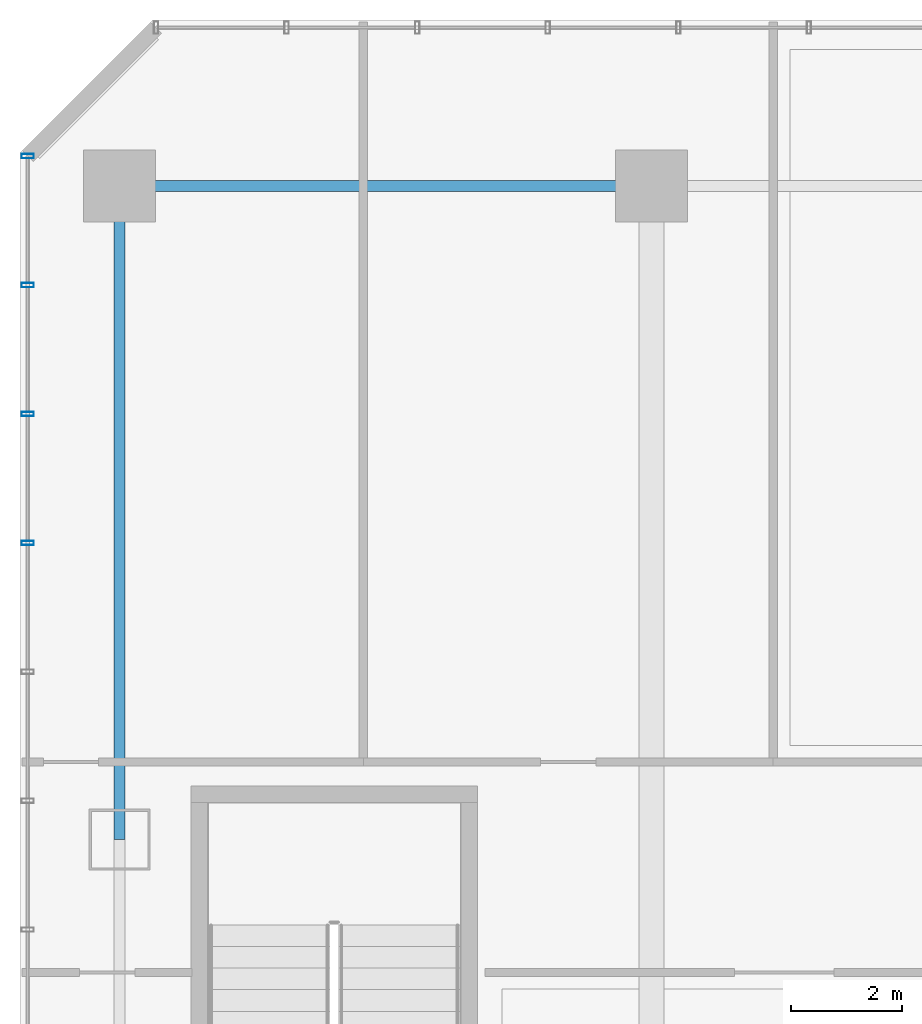
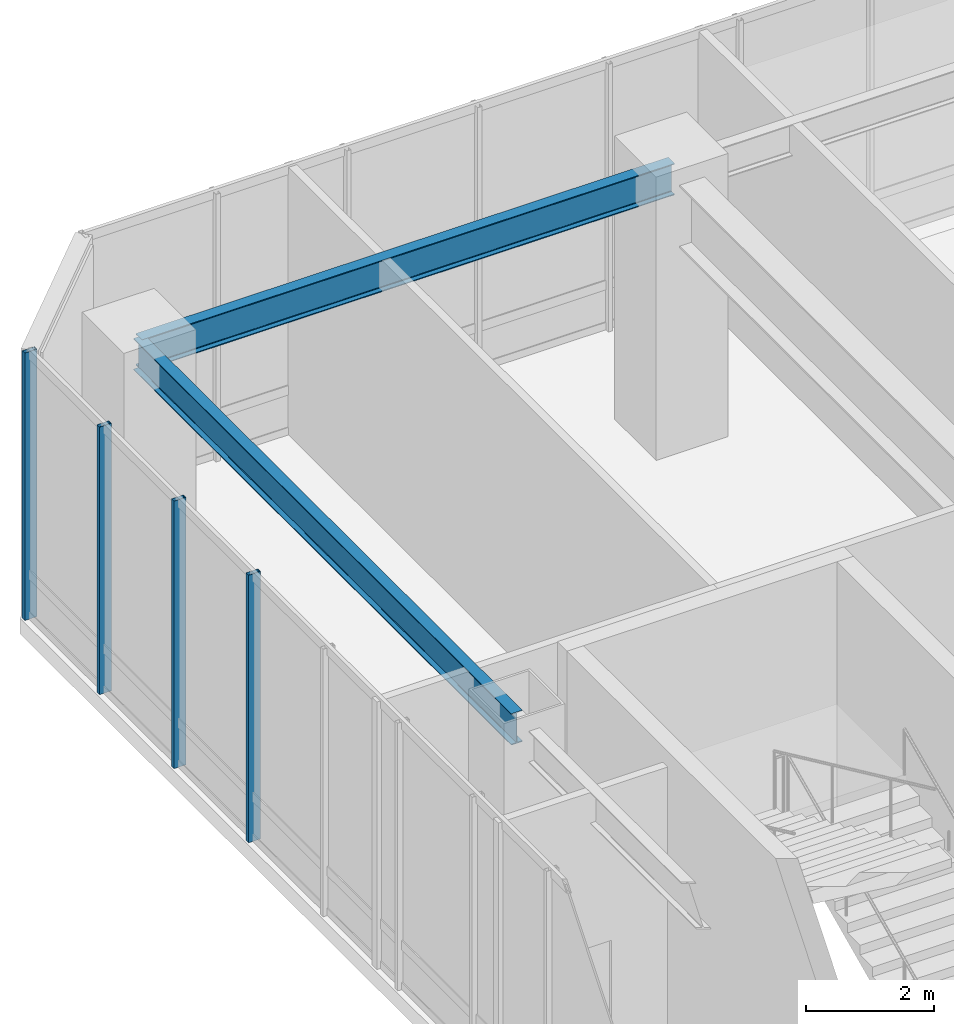
# One storey, part 14 of 35: 4 members, 2 beams, 1 element without a shape of its own.
"""IFC4 building model written with IfcOpenShell, lengths in metres."""

import ifcopenshell
import ifcopenshell.guid

model = None  # the IFC model being written
_history = None  # IfcOwnerHistory: only IFC2X3 demands one
_inside = {}  # id of a spatial element -> (the spatial element, [elements in it])
_under = {}  # id of a project, library or spatial element -> (it, [spatial elements below it])
_declared = {}  # id of a project -> (the project, [libraries it declares])
_typed = {}  # id of a type object -> (the type object, [elements of that type])
_made_of = {}  # id of a material, layer set ... -> (it, [elements and type objects made of it])


def new_model(schema):
    """Start an empty IFC model of exactly this schema.

    Asked for "IFC4X3", IfcOpenShell would pick the latest addendum, in which some entities
    have other attributes; the version numbers below select the first issue.
    IFC2X3 requires an IfcOwnerHistory on every rooted entity: one is made here for all.
    """
    global model, _history
    if schema == "IFC4X3":
        model = ifcopenshell.file(schema_version=(4, 3, 0, 0))
    else:
        model = ifcopenshell.file(schema=schema)
    _inside.clear()
    _under.clear()
    _declared.clear()
    _typed.clear()
    _made_of.clear()
    _history = None
    if model.schema == "IFC2X3":
        org = make("IfcOrganization", Name="unknown")
        user = make(
            "IfcPersonAndOrganization",
            ThePerson=make("IfcPerson", FamilyName="unknown"),
            TheOrganization=org,
        )
        app = make(
            "IfcApplication",
            ApplicationDeveloper=org,
            Version="unknown",
            ApplicationFullName="unknown",
            ApplicationIdentifier="unknown",
        )
        _history = make(
            "IfcOwnerHistory",
            OwningUser=user,
            OwningApplication=app,
            ChangeAction="ADDED",
            CreationDate=0,
        )
    return model


def make(cls, **values):
    """One entity of the class cls with the attributes given. An attribute that is None is left unset."""
    return model.create_entity(
        cls, **{name: value for name, value in values.items() if value is not None}
    )


def rooted(cls, **values):
    """An entity with a GlobalId (a new one), such as an element, a storey or a relation."""
    return make(cls, GlobalId=ifcopenshell.guid.new(), OwnerHistory=_history, **values)


def si_unit(unit_type, name, prefix=None):
    """IfcSIUnit, for example si_unit("LENGTHUNIT", "METRE", prefix="MILLI")."""
    return make("IfcSIUnit", UnitType=unit_type, Prefix=prefix, Name=name)


def assignment(units):
    """IfcUnitAssignment: the units of a project."""
    return None if units is None else make("IfcUnitAssignment", Units=units)


def point(xyz):
    """IfcCartesianPoint."""
    return None if xyz is None else make("IfcCartesianPoint", Coordinates=xyz)


def direction(xyz):
    """IfcDirection."""
    return None if xyz is None else make("IfcDirection", DirectionRatios=xyz)


def frame(location, z_axis=None, x_axis=None):
    """IfcAxis2Placement3D, a coordinate frame: its origin and axes. An axis left out is left unset."""
    return make(
        "IfcAxis2Placement3D",
        Location=point(location),
        Axis=direction(z_axis),
        RefDirection=direction(x_axis),
    )


def frame_2d(location, x_axis=None):
    """IfcAxis2Placement2D, a coordinate frame in the plane: its origin and x axis."""
    return make(
        "IfcAxis2Placement2D", Location=point(location), RefDirection=direction(x_axis)
    )


def origin():
    """The frame at (0, 0, 0) with its axes left unset."""
    return frame((0.0, 0.0, 0.0))


def origin_2d():
    """The frame at (0, 0) in the plane with its x axis left unset."""
    return frame_2d((0.0, 0.0))


def place(relative_to, where):
    """IfcLocalPlacement: puts the frame where relative to a parent placement (None: the world)."""
    return make(
        "IfcLocalPlacement", PlacementRelTo=relative_to, RelativePlacement=where
    )


def context(
    kind, dimensions, precision=None, world=None, true_north=None, identifier=None
):
    """IfcGeometricRepresentationContext, for example the 3D "Model" context."""
    return make(
        "IfcGeometricRepresentationContext",
        ContextIdentifier=identifier,
        ContextType=kind,
        CoordinateSpaceDimension=dimensions,
        Precision=precision,
        WorldCoordinateSystem=world,
        TrueNorth=true_north,
    )


def subcontext(parent, identifier, kind, view, scale=None):
    """IfcGeometricRepresentationSubContext, for example "Body" below "Model"."""
    return make(
        "IfcGeometricRepresentationSubContext",
        ContextIdentifier=identifier,
        ContextType=kind,
        ParentContext=parent,
        TargetScale=scale,
        TargetView=view,
    )


def project(units=None, contexts=None):
    """IfcProject with its units and contexts."""
    return rooted(
        "IfcProject",
        Name="project",
        RepresentationContexts=contexts,
        UnitsInContext=assignment(units),
    )


def spatial(cls, under=None, at=None, **own):
    """A site, building, storey or space (cls), placed at a placement, below another one or the project."""
    s = rooted(cls, ObjectPlacement=at, **own)
    if under is not None:
        _under.setdefault(under.id(), (under, []))[1].append(s)
    return s


def profile(cls, at=None, kind="AREA", **sizes):
    """A parametric profile (cls). Its sizes go by their IFC names, for example OverallWidth=200.0."""
    return make(cls, ProfileType=kind, Position=at, **sizes)


def hollow_rectangle(**sizes):
    """IfcRectangleHollowProfileDef."""
    return profile("IfcRectangleHollowProfileDef", **sizes)


def i_section(**sizes):
    """IfcIShapeProfileDef."""
    return profile("IfcIShapeProfileDef", **sizes)


def extrude(swept, where, along, depth):
    """IfcExtrudedAreaSolid: the profile swept, set in the frame where, extruded along a direction by depth."""
    return make(
        "IfcExtrudedAreaSolid",
        SweptArea=swept,
        Position=where,
        ExtrudedDirection=direction(along),
        Depth=depth,
    )


def shape(context_of_items, identifier, shape_type, items):
    """IfcShapeRepresentation: the items that make up one representation, for example the "Body"."""
    return make(
        "IfcShapeRepresentation",
        ContextOfItems=context_of_items,
        RepresentationIdentifier=identifier,
        RepresentationType=shape_type,
        Items=items,
    )


def material(Name=None, Category=None):
    """IfcMaterial."""
    return make("IfcMaterial", Name=Name, Category=Category)


def layer(
    of_material, thickness, ventilated=None, Name=None, Category=None, Priority=None
):
    """IfcMaterialLayer: one layer of a wall or slab, of a material (None: an air gap)."""
    return make(
        "IfcMaterialLayer",
        Material=of_material,
        LayerThickness=thickness,
        IsVentilated=ventilated,
        Name=Name,
        Category=Category,
        Priority=Priority,
    )


def layer_set(layers, Name=None):
    """IfcMaterialLayerSet."""
    return make("IfcMaterialLayerSet", MaterialLayers=layers, LayerSetName=Name)


def material_profile(
    of_material, cross_section, Name=None, Category=None, Priority=None
):
    """IfcMaterialProfile: a cross section and its material."""
    return make(
        "IfcMaterialProfile",
        Name=Name,
        Material=of_material,
        Profile=cross_section,
        Priority=Priority,
        Category=Category,
    )


def profile_set(profiles, Name=None, composite=None):
    """IfcMaterialProfileSet."""
    return make(
        "IfcMaterialProfileSet",
        Name=Name,
        MaterialProfiles=profiles,
        CompositeProfile=composite,
    )


def made_of(thing, what):
    """Note that an element or type object is made of a material, layer set ...; save() writes the relation."""
    if what is not None:
        _made_of.setdefault(what.id(), (what, []))[1].append(thing)
    return thing


def type_object(cls, material=None, **own):
    """A type object (cls), such as IfcWallType, which elements share."""
    return made_of(rooted(cls, **own), material)


def element(
    cls,
    number,
    at=None,
    inside=None,
    cuts=None,
    type_object=None,
    material=None,
    context=None,
    identifier="Body",
    shape_type=None,
    held_by="IfcProductDefinitionShape",
    body=None,
    shapes=None,
    **own,
):
    """One element of the class cls, such as IfcWall. Its Tag is "e" and its number.

    at: its placement. inside: the storey or other place that contains it. cuts: it is an
    opening in that element (IfcRelVoidsElement). A single representation is given by context,
    identifier, shape_type and body (its items); several are given by shapes. held_by: the class
    of the entity that holds the representations. save() writes the other relations.
    """
    e = rooted(cls, Tag="e%d" % number, ObjectPlacement=at, **own)
    if body is not None:
        shapes = [shape(context, identifier, shape_type, body)]
    if shapes is not None:
        e.Representation = make(held_by, Representations=shapes)
    if inside is not None:
        _inside.setdefault(inside.id(), (inside, []))[1].append(e)
    if cuts is not None:
        rooted(
            "IfcRelVoidsElement", RelatingBuildingElement=cuts, RelatedOpeningElement=e
        )
    if type_object is not None:
        _typed.setdefault(type_object.id(), (type_object, []))[1].append(e)
    return made_of(e, material)


def aggregate(whole, parts):
    """IfcRelAggregates: a whole, such as a stair, and the parts it consists of."""
    return rooted("IfcRelAggregates", RelatingObject=whole, RelatedObjects=parts)


def save(model, path):
    """Write the relations noted so far, then the file.

    IfcRelAggregates (storeys below a building ...), IfcRelContainedInSpatialStructure (elements
    in a storey), IfcRelDefinesByType, IfcRelAssociatesMaterial and IfcRelDeclares: one each for
    every whole, place, type object, material and project.
    """
    for whole, parts in _under.values():
        aggregate(whole, parts)
    for where, things in _inside.values():
        rooted(
            "IfcRelContainedInSpatialStructure",
            RelatedElements=things,
            RelatingStructure=where,
        )
    for kind, things in _typed.values():
        rooted("IfcRelDefinesByType", RelatedObjects=things, RelatingType=kind)
    for what, things in _made_of.values():
        rooted("IfcRelAssociatesMaterial", RelatedObjects=things, RelatingMaterial=what)
    for by, libraries in _declared.values():
        rooted("IfcRelDeclares", RelatingContext=by, RelatedDefinitions=libraries)
    model.write(path)


model = new_model("IFC4")

# Units and contexts
model_context = context("Model", 3, precision=1e-05, world=origin(), true_north=direction((0.0, 1.0)))
body_context = subcontext(model_context, "Body", "Model", "MODEL_VIEW")
ifc_project = project(units=[si_unit("LENGTHUNIT", "METRE"), si_unit("AREAUNIT", "SQUARE_METRE"), si_unit("VOLUMEUNIT", "CUBIC_METRE"), si_unit("PLANEANGLEUNIT", "RADIAN"), si_unit("MASSUNIT", "GRAM", prefix="KILO")], contexts=[model_context])

# Site, building, storey
site_placement = place(None, origin())
site = spatial("IfcSite", under=ifc_project, at=site_placement, CompositionType="ELEMENT")
building_placement = place(site_placement, origin())
building = spatial("IfcBuilding", under=site, at=building_placement, Name="Hatsunagi Terrace Concourse", CompositionType="ELEMENT")
storey_placement = place(building_placement, frame((0.0, 0.0, 10.800048828125)))
storey = spatial("IfcBuildingStorey", under=building, at=storey_placement, Name="L03", CompositionType="ELEMENT", Elevation=10.800048828125)

# Curtain wall, members
ifc_material_1 = material(Name="Anodised Aluminium Alloy 6063-T5", Category="aluminium")
ifc_layer = layer(ifc_material_1, 0.199951171875)
ifc_layer_set = layer_set([ifc_layer], Name="PodiumStorefront_CW01")
curtain_wall_type = type_object("IfcCurtainWallType", Name="PodiumStorefront_CW01", PredefinedType="NOTDEFINED", material=ifc_layer_set)
curtain_wall_placement = place(storey_placement, origin())
curtain_wall = element("IfcCurtainWall", 1, at=curtain_wall_placement, inside=storey, type_object=curtain_wall_type, Name="Unitised Curtain Wall CW-01 CW-L03-10", PredefinedType="NOTDEFINED")
ifc_material_2 = material(Name="Anodised Aluminium Alloy 6063-T5", Category="aluminium")
ifc_material_profile_1 = material_profile(ifc_material_2, hollow_rectangle(XDim=0.080078125, YDim=0.219970703125, WallThickness=0.0048828125, at=origin_2d()), Name="ALU-MUL-220x80x5")
ifc_profile_set_1 = profile_set([ifc_material_profile_1], Name="Anodised Aluminium Alloy 6063-T5")
member_type = type_object("IfcMemberType", Name="CurtainWallMullion_Heavy_220x80", PredefinedType="MULLION", material=ifc_profile_set_1)
member_1_placement = place(storey_placement, frame((0.139892578125, 42.156982421875, 0.0), z_axis=(0.0, 0.0, 1.0), x_axis=(0.0, 1.0, 0.0)))
member_1 = element("IfcMember", 2, at=member_1_placement, type_object=member_type, Name="Curtain Wall Mullion MUL-01", PredefinedType="MULLION", context=body_context, shape_type="SweptSolid", body=[
    extrude(hollow_rectangle(XDim=0.080078125, YDim=0.219970703125, WallThickness=0.0048828125, at=origin_2d()), origin(), (0.0, 0.0, 1.0), 5.099853515625),
])
member_2_placement = place(storey_placement, frame((0.139892578125, 44.485107421875, 0.0), z_axis=(0.0, 0.0, 1.0), x_axis=(0.0, 1.0, 0.0)))
member_2 = element("IfcMember", 3, at=member_2_placement, type_object=member_type, Name="Curtain Wall Mullion MUL-01", PredefinedType="MULLION", context=body_context, shape_type="SweptSolid", body=[
    extrude(hollow_rectangle(XDim=0.080078125, YDim=0.219970703125, WallThickness=0.0048828125, at=origin_2d()), origin(), (0.0, 0.0, 1.0), 5.099853515625),
])
member_3_placement = place(storey_placement, frame((0.139892578125, 46.81396484375, 0.0), z_axis=(0.0, 0.0, 1.0), x_axis=(0.0, 1.0, 0.0)))
member_3 = element("IfcMember", 4, at=member_3_placement, type_object=member_type, Name="Curtain Wall Mullion MUL-01", PredefinedType="MULLION", context=body_context, shape_type="SweptSolid", body=[
    extrude(hollow_rectangle(XDim=0.080078125, YDim=0.219970703125, WallThickness=0.0048828125, at=origin_2d()), origin(), (0.0, 0.0, 1.0), 5.099853515625),
])
member_4_placement = place(storey_placement, frame((0.139892578125, 49.14208984375, 0.0), z_axis=(0.0, 0.0, 1.0), x_axis=(0.0, 1.0, 0.0)))
member_4 = element("IfcMember", 5, at=member_4_placement, type_object=member_type, Name="Curtain Wall Mullion MUL-01", PredefinedType="MULLION", context=body_context, shape_type="SweptSolid", body=[
    extrude(hollow_rectangle(XDim=0.080078125, YDim=0.219970703125, WallThickness=0.0048828125, at=origin_2d()), origin(), (0.0, 0.0, 1.0), 5.099853515625),
])
aggregate(curtain_wall, [member_1, member_2, member_3, member_4])

# Beams
ifc_material_3 = material(Name="Steel SN490B", Category="steel")
ifc_material_profile_2 = material_profile(ifc_material_3, i_section(OverallWidth=0.199951171875, OverallDepth=0.60009765625, WebThickness=0.010986328125, FlangeThickness=0.01708984375, FilletRadius=0.01806640625, at=origin_2d()), Name="H-600x200x11x17")
ifc_profile_set_2 = profile_set([ifc_material_profile_2], Name="Steel SN490B")
beam_type = type_object("IfcBeamType", Name="PerimeterSpandrel_H_600x200", PredefinedType="SPANDREL", material=ifc_profile_set_2)
beam_1_placement = place(storey_placement, frame((1.800048828125, 48.60009765625, 4.800048828125), z_axis=(1.0, 0.0, 0.0), x_axis=(0.0, 1.0, 0.0)))
element("IfcBeam", 6, at=beam_1_placement, inside=storey, type_object=beam_type, Name="Beam SP-01 BM-L03-WN-1", PredefinedType="SPANDREL", context=body_context, shape_type="SweptSolid", body=[
    extrude(i_section(OverallWidth=0.199951171875, OverallDepth=0.60009765625, WebThickness=0.010986328125, FlangeThickness=0.01708984375, FilletRadius=0.01806640625, at=origin_2d()), origin(), (0.0, 0.0, 1.0), 9.599853515625),
])
beam_2_placement = place(storey_placement, frame((1.800048828125, 36.800048828125, 4.800048828125), z_axis=(0.0, 1.0, 0.0), x_axis=(-1.0, 0.0, 0.0)))
element("IfcBeam", 7, at=beam_2_placement, inside=storey, type_object=beam_type, Name="Beam SP-01 BM-L03-NS-1-36", PredefinedType="SPANDREL", context=body_context, shape_type="SweptSolid", body=[
    extrude(i_section(OverallWidth=0.199951171875, OverallDepth=0.60009765625, WebThickness=0.010986328125, FlangeThickness=0.01708984375, FilletRadius=0.01806640625, at=origin_2d()), origin(), (0.0, 0.0, 1.0), 11.800048828125),
])

save(model, "model.ifc")
